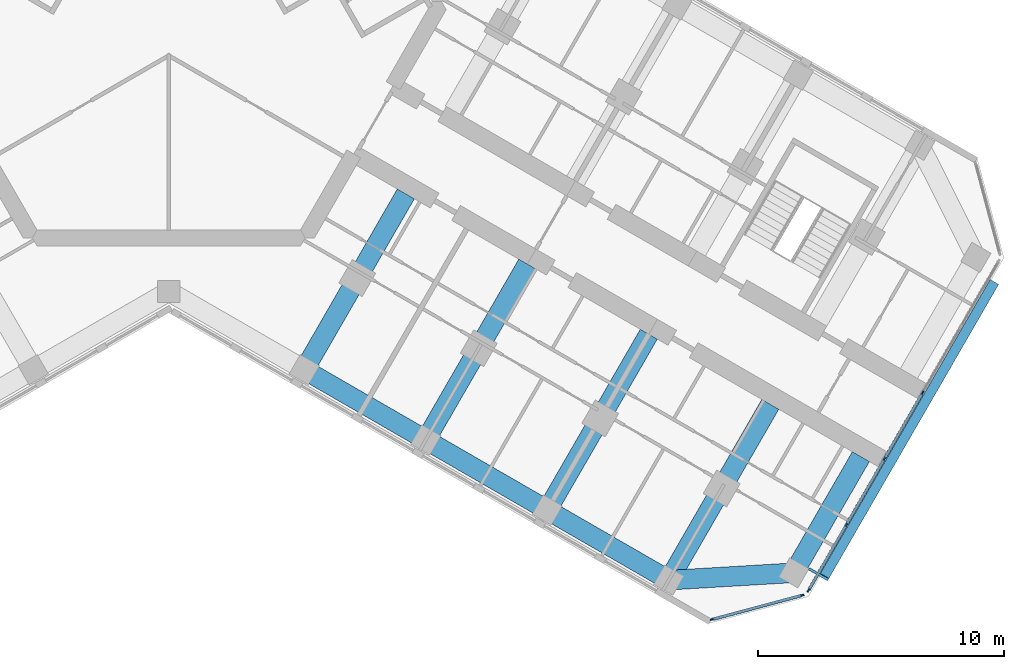
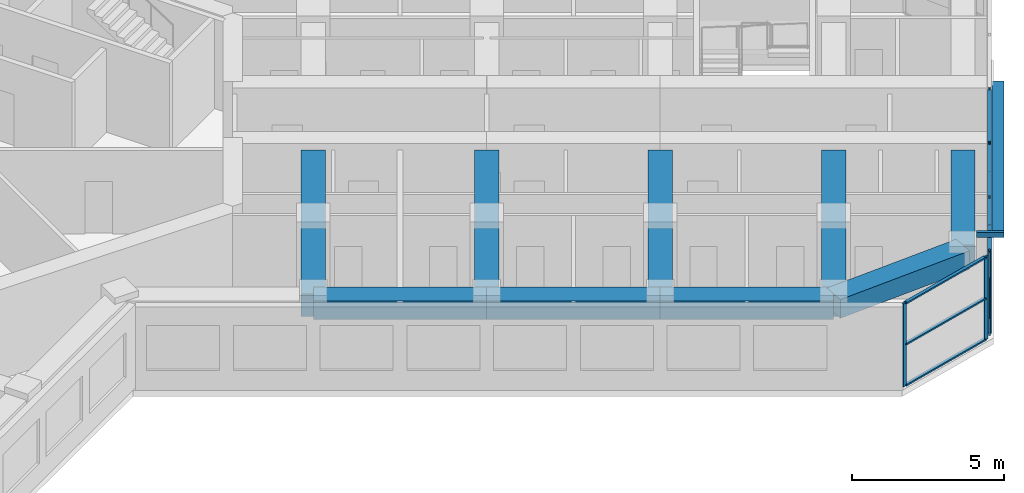
# One storey, part 4 of 16: 17 members, 9 beams, 2 elements without a shape of their own.
"""IFC4 building model written with IfcOpenShell, lengths in metres."""

import ifcopenshell
import ifcopenshell.guid

model = None  # the IFC model being written
_history = None  # IfcOwnerHistory: only IFC2X3 demands one
_inside = {}  # id of a spatial element -> (the spatial element, [elements in it])
_under = {}  # id of a project, library or spatial element -> (it, [spatial elements below it])
_declared = {}  # id of a project -> (the project, [libraries it declares])
_typed = {}  # id of a type object -> (the type object, [elements of that type])
_made_of = {}  # id of a material, layer set ... -> (it, [elements and type objects made of it])


def new_model(schema):
    """Start an empty IFC model of exactly this schema.

    Asked for "IFC4X3", IfcOpenShell would pick the latest addendum, in which some entities
    have other attributes; the version numbers below select the first issue.
    IFC2X3 requires an IfcOwnerHistory on every rooted entity: one is made here for all.
    """
    global model, _history
    if schema == "IFC4X3":
        model = ifcopenshell.file(schema_version=(4, 3, 0, 0))
    else:
        model = ifcopenshell.file(schema=schema)
    _inside.clear()
    _under.clear()
    _declared.clear()
    _typed.clear()
    _made_of.clear()
    _history = None
    if model.schema == "IFC2X3":
        org = make("IfcOrganization", Name="unknown")
        user = make(
            "IfcPersonAndOrganization",
            ThePerson=make("IfcPerson", FamilyName="unknown"),
            TheOrganization=org,
        )
        app = make(
            "IfcApplication",
            ApplicationDeveloper=org,
            Version="unknown",
            ApplicationFullName="unknown",
            ApplicationIdentifier="unknown",
        )
        _history = make(
            "IfcOwnerHistory",
            OwningUser=user,
            OwningApplication=app,
            ChangeAction="ADDED",
            CreationDate=0,
        )
    return model


def make(cls, **values):
    """One entity of the class cls with the attributes given. An attribute that is None is left unset."""
    return model.create_entity(
        cls, **{name: value for name, value in values.items() if value is not None}
    )


def rooted(cls, **values):
    """An entity with a GlobalId (a new one), such as an element, a storey or a relation."""
    return make(cls, GlobalId=ifcopenshell.guid.new(), OwnerHistory=_history, **values)


def si_unit(unit_type, name, prefix=None):
    """IfcSIUnit, for example si_unit("LENGTHUNIT", "METRE", prefix="MILLI")."""
    return make("IfcSIUnit", UnitType=unit_type, Prefix=prefix, Name=name)


def assignment(units):
    """IfcUnitAssignment: the units of a project."""
    return None if units is None else make("IfcUnitAssignment", Units=units)


def point(xyz):
    """IfcCartesianPoint."""
    return None if xyz is None else make("IfcCartesianPoint", Coordinates=xyz)


def direction(xyz):
    """IfcDirection."""
    return None if xyz is None else make("IfcDirection", DirectionRatios=xyz)


def frame(location, z_axis=None, x_axis=None):
    """IfcAxis2Placement3D, a coordinate frame: its origin and axes. An axis left out is left unset."""
    return make(
        "IfcAxis2Placement3D",
        Location=point(location),
        Axis=direction(z_axis),
        RefDirection=direction(x_axis),
    )


def frame_2d(location, x_axis=None):
    """IfcAxis2Placement2D, a coordinate frame in the plane: its origin and x axis."""
    return make(
        "IfcAxis2Placement2D", Location=point(location), RefDirection=direction(x_axis)
    )


def origin():
    """The frame at (0, 0, 0) with its axes left unset."""
    return frame((0.0, 0.0, 0.0))


def origin_2d():
    """The frame at (0, 0) in the plane with its x axis left unset."""
    return frame_2d((0.0, 0.0))


def place(relative_to, where):
    """IfcLocalPlacement: puts the frame where relative to a parent placement (None: the world)."""
    return make(
        "IfcLocalPlacement", PlacementRelTo=relative_to, RelativePlacement=where
    )


def context(
    kind, dimensions, precision=None, world=None, true_north=None, identifier=None
):
    """IfcGeometricRepresentationContext, for example the 3D "Model" context."""
    return make(
        "IfcGeometricRepresentationContext",
        ContextIdentifier=identifier,
        ContextType=kind,
        CoordinateSpaceDimension=dimensions,
        Precision=precision,
        WorldCoordinateSystem=world,
        TrueNorth=true_north,
    )


def subcontext(parent, identifier, kind, view, scale=None):
    """IfcGeometricRepresentationSubContext, for example "Body" below "Model"."""
    return make(
        "IfcGeometricRepresentationSubContext",
        ContextIdentifier=identifier,
        ContextType=kind,
        ParentContext=parent,
        TargetScale=scale,
        TargetView=view,
    )


def project(units=None, contexts=None):
    """IfcProject with its units and contexts."""
    return rooted(
        "IfcProject",
        Name="project",
        RepresentationContexts=contexts,
        UnitsInContext=assignment(units),
    )


def spatial(cls, under=None, at=None, **own):
    """A site, building, storey or space (cls), placed at a placement, below another one or the project."""
    s = rooted(cls, ObjectPlacement=at, **own)
    if under is not None:
        _under.setdefault(under.id(), (under, []))[1].append(s)
    return s


def profile(cls, at=None, kind="AREA", **sizes):
    """A parametric profile (cls). Its sizes go by their IFC names, for example OverallWidth=200.0."""
    return make(cls, ProfileType=kind, Position=at, **sizes)


def rectangle(**sizes):
    """IfcRectangleProfileDef."""
    return profile("IfcRectangleProfileDef", **sizes)


def hollow_rectangle(**sizes):
    """IfcRectangleHollowProfileDef."""
    return profile("IfcRectangleHollowProfileDef", **sizes)


def extrude(swept, where, along, depth):
    """IfcExtrudedAreaSolid: the profile swept, set in the frame where, extruded along a direction by depth."""
    return make(
        "IfcExtrudedAreaSolid",
        SweptArea=swept,
        Position=where,
        ExtrudedDirection=direction(along),
        Depth=depth,
    )


def shape(context_of_items, identifier, shape_type, items):
    """IfcShapeRepresentation: the items that make up one representation, for example the "Body"."""
    return make(
        "IfcShapeRepresentation",
        ContextOfItems=context_of_items,
        RepresentationIdentifier=identifier,
        RepresentationType=shape_type,
        Items=items,
    )


def material(Name=None, Category=None):
    """IfcMaterial."""
    return make("IfcMaterial", Name=Name, Category=Category)


def material_profile(
    of_material, cross_section, Name=None, Category=None, Priority=None
):
    """IfcMaterialProfile: a cross section and its material."""
    return make(
        "IfcMaterialProfile",
        Name=Name,
        Material=of_material,
        Profile=cross_section,
        Priority=Priority,
        Category=Category,
    )


def profile_set(profiles, Name=None, composite=None):
    """IfcMaterialProfileSet."""
    return make(
        "IfcMaterialProfileSet",
        Name=Name,
        MaterialProfiles=profiles,
        CompositeProfile=composite,
    )


def made_of(thing, what):
    """Note that an element or type object is made of a material, layer set ...; save() writes the relation."""
    if what is not None:
        _made_of.setdefault(what.id(), (what, []))[1].append(thing)
    return thing


def type_object(cls, material=None, **own):
    """A type object (cls), such as IfcWallType, which elements share."""
    return made_of(rooted(cls, **own), material)


def element(
    cls,
    number,
    at=None,
    inside=None,
    cuts=None,
    type_object=None,
    material=None,
    context=None,
    identifier="Body",
    shape_type=None,
    held_by="IfcProductDefinitionShape",
    body=None,
    shapes=None,
    **own,
):
    """One element of the class cls, such as IfcWall. Its Tag is "e" and its number.

    at: its placement. inside: the storey or other place that contains it. cuts: it is an
    opening in that element (IfcRelVoidsElement). A single representation is given by context,
    identifier, shape_type and body (its items); several are given by shapes. held_by: the class
    of the entity that holds the representations. save() writes the other relations.
    """
    e = rooted(cls, Tag="e%d" % number, ObjectPlacement=at, **own)
    if body is not None:
        shapes = [shape(context, identifier, shape_type, body)]
    if shapes is not None:
        e.Representation = make(held_by, Representations=shapes)
    if inside is not None:
        _inside.setdefault(inside.id(), (inside, []))[1].append(e)
    if cuts is not None:
        rooted(
            "IfcRelVoidsElement", RelatingBuildingElement=cuts, RelatedOpeningElement=e
        )
    if type_object is not None:
        _typed.setdefault(type_object.id(), (type_object, []))[1].append(e)
    return made_of(e, material)


def aggregate(whole, parts):
    """IfcRelAggregates: a whole, such as a stair, and the parts it consists of."""
    return rooted("IfcRelAggregates", RelatingObject=whole, RelatedObjects=parts)


def save(model, path):
    """Write the relations noted so far, then the file.

    IfcRelAggregates (storeys below a building ...), IfcRelContainedInSpatialStructure (elements
    in a storey), IfcRelDefinesByType, IfcRelAssociatesMaterial and IfcRelDeclares: one each for
    every whole, place, type object, material and project.
    """
    for whole, parts in _under.values():
        aggregate(whole, parts)
    for where, things in _inside.values():
        rooted(
            "IfcRelContainedInSpatialStructure",
            RelatedElements=things,
            RelatingStructure=where,
        )
    for kind, things in _typed.values():
        rooted("IfcRelDefinesByType", RelatedObjects=things, RelatingType=kind)
    for what, things in _made_of.values():
        rooted("IfcRelAssociatesMaterial", RelatedObjects=things, RelatingMaterial=what)
    for by, libraries in _declared.values():
        rooted("IfcRelDeclares", RelatingContext=by, RelatedDefinitions=libraries)
    model.write(path)


model = new_model("IFC4")

# Units and contexts
model_context = context("Model", 3, precision=1e-05, world=origin(), true_north=direction((0.0, 1.0)))
body_context = subcontext(model_context, "Body", "Model", "MODEL_VIEW")
ifc_project = project(units=[si_unit("LENGTHUNIT", "METRE"), si_unit("AREAUNIT", "SQUARE_METRE"), si_unit("VOLUMEUNIT", "CUBIC_METRE"), si_unit("PLANEANGLEUNIT", "RADIAN"), si_unit("MASSUNIT", "GRAM", prefix="KILO")], contexts=[model_context])

# Site, building, storey
site_placement = place(None, origin())
site = spatial("IfcSite", under=ifc_project, at=site_placement, CompositionType="ELEMENT")
building_placement = place(site_placement, origin())
building = spatial("IfcBuilding", under=site, at=building_placement, Name="Kosmar Iwan School Tower", CompositionType="ELEMENT")
storey_placement = place(building_placement, frame((0.0, 0.0, 219.0)))
storey = spatial("IfcBuildingStorey", under=building, at=storey_placement, Name="L55", CompositionType="ELEMENT", Elevation=219.0)

# Members
ifc_material_1 = material(Name="Black anodised aluminium", Category="aluminium")
ifc_material_profile_1 = material_profile(ifc_material_1, rectangle(XDim=0.10009765625, YDim=0.39990234375, at=origin_2d()), Name="FIN 100x400")
ifc_profile_set_1 = profile_set([ifc_material_profile_1], Name="Black anodised aluminium")
member_type_1 = type_object("IfcMemberType", Name="Diagonal fin 100x400", PredefinedType="USERDEFINED", material=ifc_profile_set_1)
member_1_placement = place(storey_placement, frame((33.54345703125, -11.40087890625, -0.14990234375), z_axis=(-0.483795538458, -0.837973939202, 0.252470897702), x_axis=(0.126233699175, 0.218647221293, 0.967604488318)))
element("IfcMember", 1, at=member_1_placement, inside=storey, type_object=member_type_1, Name="Diagonal fin L55-F01", ObjectType="FIN", PredefinedType="USERDEFINED", context=body_context, shape_type="SweptSolid", body=[
    extrude(rectangle(XDim=0.10009765625, YDim=0.39990234375, at=origin_2d()), origin(), (0.0, 0.0, 1.0), 14.258544921875),
])
ifc_material_2 = material(Name="Steel S355", Category="steel")
ifc_material_profile_2 = material_profile(ifc_material_2, hollow_rectangle(XDim=0.10009765625, YDim=0.199951171875, WallThickness=0.008056640625, at=origin_2d()), Name="RHS 200x100x8")
ifc_profile_set_2 = profile_set([ifc_material_profile_2], Name="Steel S355")
member_type_2 = type_object("IfcMemberType", Name="Fin bracket RHS 200x100", PredefinedType="USERDEFINED", material=ifc_profile_set_2)
member_2_placement = place(storey_placement, frame((26.01318359375, -23.0439453125, 3.47509765625), z_axis=(0.866013897511, -0.50001992892, 0.0), x_axis=(0.50001992892, 0.866013897511, 0.0)))
element("IfcMember", 2, at=member_2_placement, inside=storey, type_object=member_type_2, Name="Fin bracket L56", ObjectType="FIN BRACKET", PredefinedType="USERDEFINED", context=body_context, shape_type="SweptSolid", body=[
    extrude(hollow_rectangle(XDim=0.10009765625, YDim=0.199951171875, WallThickness=0.008056640625, at=origin_2d()), origin(), (0.0, 0.0, 1.0), 0.89990234375),
])

# Curtain wall, members
ifc_material_3 = material(Name="Dark glass in black aluminium frame", Category="aluminium")
curtain_wall_type_1 = type_object("IfcCurtainWallType", Name="Chamfer curtain wall dark glass", PredefinedType="USERDEFINED", material=ifc_material_3)
curtain_wall_1_placement = place(storey_placement, origin())
curtain_wall_1 = element("IfcCurtainWall", 3, at=curtain_wall_1_placement, inside=storey, type_object=curtain_wall_type_1, Name="Curtain wall L55-F00", ObjectType="FACETED CURTAIN WALL", PredefinedType="USERDEFINED")
ifc_material_4 = material(Name="Black anodised aluminium", Category="aluminium")
ifc_material_profile_3 = material_profile(ifc_material_4, rectangle(XDim=0.06005859375, YDim=0.159912109375, at=origin_2d()), Name="MULLION 60x160")
ifc_profile_set_3 = profile_set([ifc_material_profile_3], Name="Black anodised aluminium")
member_type_3 = type_object("IfcMemberType", Name="Mullion 60x160", PredefinedType="MULLION", material=ifc_profile_set_3)
member_3_placement = place(storey_placement, frame((22.0830078125, -25.102294921875, 0.0), z_axis=(0.0, 0.0, 1.0), x_axis=(-0.258818861462, 0.965925875495, 0.0)))
member_3 = element("IfcMember", 4, at=member_3_placement, type_object=member_type_3, Name="CW2 mullion 1", PredefinedType="MULLION", context=body_context, shape_type="SweptSolid", body=[
    extrude(rectangle(XDim=0.06005859375, YDim=0.159912109375, at=origin_2d()), origin(), (0.0, 0.0, 1.0), 3.35009765625),
])
member_4_placement = place(storey_placement, frame((25.733154296875, -24.124267578125, 0.0), z_axis=(0.0, 0.0, 1.0), x_axis=(-0.258818861462, 0.965925875495, 0.0)))
member_4 = element("IfcMember", 5, at=member_4_placement, type_object=member_type_3, Name="CW2 mullion 2", PredefinedType="MULLION", context=body_context, shape_type="SweptSolid", body=[
    extrude(rectangle(XDim=0.06005859375, YDim=0.159912109375, at=origin_2d()), origin(), (0.0, 0.0, 1.0), 3.35009765625),
])

ifc_material_5 = material(Name="Dark glass in black aluminium frame", Category="aluminium")
curtain_wall_type_2 = type_object("IfcCurtainWallType", Name="Tower curtain wall dark glass", PredefinedType="USERDEFINED", material=ifc_material_5)
curtain_wall_2_placement = place(storey_placement, origin())
curtain_wall_2 = element("IfcCurtainWall", 6, at=curtain_wall_2_placement, inside=storey, type_object=curtain_wall_type_2, Name="Curtain wall L55-F01", ObjectType="UNITISED CURTAIN WALL", PredefinedType="USERDEFINED")
member_5_placement = place(storey_placement, frame((25.9970703125, -23.921630859375, 0.0), z_axis=(0.0, 0.0, 1.0), x_axis=(-0.866025405329, 0.499999997325, 0.0)))
member_5 = element("IfcMember", 7, at=member_5_placement, type_object=member_type_3, Name="CW1 mullion 1", PredefinedType="MULLION", context=body_context, shape_type="SweptSolid", body=[
    extrude(rectangle(XDim=0.06005859375, YDim=0.159912109375, at=origin_2d()), origin(), (0.0, 0.0, 1.0), 3.35009765625),
])
member_6_placement = place(storey_placement, frame((27.53173828125, -21.263671875, 0.0), z_axis=(0.0, 0.0, 1.0), x_axis=(-0.866025405329, 0.499999997325, 0.0)))
member_6 = element("IfcMember", 8, at=member_6_placement, type_object=member_type_3, Name="CW1 mullion 2", PredefinedType="MULLION", context=body_context, shape_type="SweptSolid", body=[
    extrude(rectangle(XDim=0.06005859375, YDim=0.159912109375, at=origin_2d()), origin(), (0.0, 0.0, 1.0), 3.35009765625),
])
member_7_placement = place(storey_placement, frame((29.081298828125, -18.57958984375, 0.0), z_axis=(0.0, 0.0, 1.0), x_axis=(-0.866025405329, 0.499999997325, 0.0)))
member_7 = element("IfcMember", 9, at=member_7_placement, type_object=member_type_3, Name="CW1 mullion 3", PredefinedType="MULLION", context=body_context, shape_type="SweptSolid", body=[
    extrude(rectangle(XDim=0.06005859375, YDim=0.159912109375, at=origin_2d()), origin(), (0.0, 0.0, 1.0), 3.35009765625),
])
member_8_placement = place(storey_placement, frame((30.631103515625, -15.8955078125, 0.0), z_axis=(0.0, 0.0, 1.0), x_axis=(-0.866025405329, 0.499999997325, 0.0)))
member_8 = element("IfcMember", 10, at=member_8_placement, type_object=member_type_3, Name="CW1 mullion 4", PredefinedType="MULLION", context=body_context, shape_type="SweptSolid", body=[
    extrude(rectangle(XDim=0.06005859375, YDim=0.159912109375, at=origin_2d()), origin(), (0.0, 0.0, 1.0), 3.35009765625),
])

# Beams
ifc_material_6 = material(Name="Concrete C50/60", Category="concrete")
ifc_material_profile_4 = material_profile(ifc_material_6, rectangle(XDim=0.800048828125, YDim=0.75, at=origin_2d()), Name="RC 800x750")
ifc_profile_set_4 = profile_set([ifc_material_profile_4], Name="Concrete C50/60")
beam_type_1 = type_object("IfcBeamType", Name="RC edge beam 800x750", PredefinedType="BEAM", material=ifc_profile_set_4)
beam_1_placement = place(storey_placement, frame((5.5087890625, -14.95849609375, 2.97509765625), z_axis=(0.866033658841, -0.49998570155, 0.0), x_axis=(0.49998570155, 0.866033658841, 0.0)))
element("IfcBeam", 11, at=beam_1_placement, inside=storey, type_object=beam_type_1, Name="Edge beam CR2", PredefinedType="BEAM", context=body_context, shape_type="SweptSolid", body=[
    extrude(rectangle(XDim=0.800048828125, YDim=0.75, at=origin_2d()), origin(), (0.0, 0.0, 1.0), 5.699951171875),
])
beam_2_placement = place(storey_placement, frame((10.445068359375, -17.808349609375, 2.97509765625), z_axis=(0.866025820012, -0.499999279071, 0.0), x_axis=(0.499999279071, 0.866025820012, 0.0)))
element("IfcBeam", 12, at=beam_2_placement, inside=storey, type_object=beam_type_1, Name="Edge beam CR3", PredefinedType="BEAM", context=body_context, shape_type="SweptSolid", body=[
    extrude(rectangle(XDim=0.800048828125, YDim=0.75, at=origin_2d()), origin(), (0.0, 0.0, 1.0), 5.7001953125),
])
beam_3_placement = place(storey_placement, frame((15.381591796875, -20.658447265625, 2.97509765625), z_axis=(0.866015111908, -0.50001782563, 0.0), x_axis=(0.50001782563, 0.866015111908, 0.0)))
element("IfcBeam", 13, at=beam_3_placement, inside=storey, type_object=beam_type_1, Name="Edge beam CR4", PredefinedType="BEAM", context=body_context, shape_type="SweptSolid", body=[
    extrude(rectangle(XDim=0.800048828125, YDim=0.75, at=origin_2d()), origin(), (0.0, 0.0, 1.0), 5.699951171875),
])
ifc_material_7 = material(Name="Concrete C50/60", Category="concrete")
ifc_material_profile_5 = material_profile(ifc_material_7, rectangle(XDim=0.800048828125, YDim=0.75, at=origin_2d()), Name="RC 800x750")
ifc_profile_set_5 = profile_set([ifc_material_profile_5], Name="Concrete C50/60")
beam_type_2 = type_object("IfcBeamType", Name="RC tip beam 800x750", PredefinedType="BEAM", material=ifc_profile_set_5)
beam_4_placement = place(storey_placement, frame((20.31787109375, -23.508544921875, 2.97509765625), z_axis=(0.998260616478, 0.058955420358, 0.0), x_axis=(-0.058955420358, 0.998260616478, 0.0)))
element("IfcBeam", 14, at=beam_4_placement, inside=storey, type_object=beam_type_2, Name="Tip beam CR", PredefinedType="BEAM", context=body_context, shape_type="SweptSolid", body=[
    extrude(rectangle(XDim=0.800048828125, YDim=0.75, at=origin_2d()), origin(), (0.0, 0.0, 1.0), 5.08935546875),
])
beam_5_placement = place(storey_placement, frame((25.3984375, -23.20849609375, 2.97509765625), z_axis=(0.500022328685, 0.866012511928, 0.0), x_axis=(-0.866012511928, 0.500022328685, 0.0)))
element("IfcBeam", 15, at=beam_5_placement, inside=storey, type_object=beam_type_2, Name="Tip beam CR to corridor wall", PredefinedType="BEAM", context=body_context, shape_type="SweptSolid", body=[
    extrude(rectangle(XDim=0.800048828125, YDim=0.75, at=origin_2d()), origin(), (0.0, 0.0, 1.0), 5.449951171875),
])
ifc_material_8 = material(Name="Concrete C50/60", Category="concrete")
ifc_material_profile_6 = material_profile(ifc_material_8, rectangle(XDim=0.800048828125, YDim=0.89990234375, at=origin_2d()), Name="RC 800x900")
ifc_profile_set_6 = profile_set([ifc_material_profile_6], Name="Concrete C50/60")
beam_type_3 = type_object("IfcBeamType", Name="RC transverse beam 800x900", PredefinedType="BEAM", material=ifc_profile_set_6)
beam_6_placement = place(storey_placement, frame((5.5087890625, -14.95849609375, 2.89990234375), z_axis=(0.499996545922, 0.866027397988, 0.0), x_axis=(-0.866027397988, 0.499996545922, 0.0)))
element("IfcBeam", 16, at=beam_6_placement, inside=storey, type_object=beam_type_3, Name="Transverse beam CR1", PredefinedType="BEAM", context=body_context, shape_type="SweptSolid", body=[
    extrude(rectangle(XDim=0.800048828125, YDim=0.89990234375, at=origin_2d()), origin(), (0.0, 0.0, 1.0), 8.25),
])
beam_7_placement = place(storey_placement, frame((10.445068359375, -17.808349609375, 2.89990234375), z_axis=(0.500009360108, 0.866019999656, 0.0), x_axis=(-0.866019999656, 0.500009360108, 0.0)))
element("IfcBeam", 17, at=beam_7_placement, inside=storey, type_object=beam_type_3, Name="Transverse beam CR2", PredefinedType="BEAM", context=body_context, shape_type="SweptSolid", body=[
    extrude(rectangle(XDim=0.800048828125, YDim=0.89990234375, at=origin_2d()), origin(), (0.0, 0.0, 1.0), 8.249755859375),
])
for number, where, z_axis, x_axis, name in (
    (18, (15.381591796875, -20.658447265625, 2.89990234375), (0.499996545922, 0.866027397988, 0.0), (-0.866027397988, 0.499996545922, 0.0), "Transverse beam CR3"),
    (19, (20.31787109375, -23.508544921875, 2.89990234375), (0.499996545922, 0.866027397988, 0.0), (-0.866027397988, 0.499996545922, 0.0), "Transverse beam CR4"),
):
    element("IfcBeam", number, at=place(storey_placement, frame(where, z_axis=z_axis, x_axis=x_axis)), inside=storey, type_object=beam_type_3, Name=name, PredefinedType="BEAM", context=body_context, shape_type="SweptSolid", body=[
        extrude(rectangle(XDim=0.800048828125, YDim=0.89990234375, at=origin_2d()), origin(), (0.0, 0.0, 1.0), 8.25),
    ])

# Member
ifc_material_9 = material(Name="Black anodised aluminium", Category="aluminium")
ifc_material_profile_7 = material_profile(ifc_material_9, rectangle(XDim=0.1201171875, YDim=0.06005859375, at=origin_2d()), Name="TRANSOM 60x120")
ifc_profile_set_7 = profile_set([ifc_material_profile_7], Name="Black anodised aluminium")
member_type_4 = type_object("IfcMemberType", Name="Transom 60x120", PredefinedType="USERDEFINED", material=ifc_profile_set_7)
member_9_placement = place(storey_placement, frame((22.11181640625, -25.094482421875, 0.030029296875), z_axis=(0.965923731726, 0.258826861991, 0.0), x_axis=(-0.258826861991, 0.965923731726, 0.0)))
member_9 = element("IfcMember", 20, at=member_9_placement, type_object=member_type_4, Name="CW2 transom 1.1", ObjectType="TRANSOM", PredefinedType="USERDEFINED", context=body_context, shape_type="SweptSolid", body=[
    extrude(rectangle(XDim=0.1201171875, YDim=0.06005859375, at=origin_2d()), origin(), (0.0, 0.0, 1.0), 3.71923828125),
])

member_10_placement = place(storey_placement, frame((22.11181640625, -25.094482421875, 1.675048828125), z_axis=(0.965923731726, 0.258826861991, 0.0), x_axis=(-0.258826861991, 0.965923731726, 0.0)))
member_10 = element("IfcMember", 21, at=member_10_placement, type_object=member_type_4, Name="CW2 transom 1.2", ObjectType="TRANSOM", PredefinedType="USERDEFINED", context=body_context, shape_type="SweptSolid", body=[
    extrude(rectangle(XDim=0.1201171875, YDim=0.06005859375, at=origin_2d()), origin(), (0.0, 0.0, 1.0), 3.71923828125),
])

member_11_placement = place(storey_placement, frame((22.11181640625, -25.094482421875, 3.320068359375), z_axis=(0.965923731726, 0.258826861991, 0.0), x_axis=(-0.258826861991, 0.965923731726, 0.0)))
member_11 = element("IfcMember", 22, at=member_11_placement, type_object=member_type_4, Name="CW2 transom 1.3", ObjectType="TRANSOM", PredefinedType="USERDEFINED", context=body_context, shape_type="SweptSolid", body=[
    extrude(rectangle(XDim=0.1201171875, YDim=0.06005859375, at=origin_2d()), origin(), (0.0, 0.0, 1.0), 3.71923828125),
])

aggregate(curtain_wall_1, [member_3, member_4, member_9, member_10, member_11])

member_12_placement = place(storey_placement, frame((26.01220703125, -23.895751953125, 0.030029296875), z_axis=(0.499986971506, 0.866032925658, 0.0), x_axis=(-0.866032925658, 0.499986971506, 0.0)))
member_12 = element("IfcMember", 23, at=member_12_placement, type_object=member_type_4, Name="CW1 transom 1.1", ObjectType="TRANSOM", PredefinedType="USERDEFINED", context=body_context, shape_type="SweptSolid", body=[
    extrude(rectangle(XDim=0.1201171875, YDim=0.06005859375, at=origin_2d()), origin(), (0.0, 0.0, 1.0), 3.00927734375),
])

member_13_placement = place(storey_placement, frame((26.01220703125, -23.895751953125, 3.320068359375), z_axis=(0.499986971506, 0.866032925658, 0.0), x_axis=(-0.866032925658, 0.499986971506, 0.0)))
member_13 = element("IfcMember", 24, at=member_13_placement, type_object=member_type_4, Name="CW1 transom 1.2", ObjectType="TRANSOM", PredefinedType="USERDEFINED", context=body_context, shape_type="SweptSolid", body=[
    extrude(rectangle(XDim=0.1201171875, YDim=0.06005859375, at=origin_2d()), origin(), (0.0, 0.0, 1.0), 3.00927734375),
])

member_14_placement = place(storey_placement, frame((27.546875, -21.237548828125, 0.030029296875), z_axis=(0.499975102327, 0.866039777986, 0.0), x_axis=(-0.866039777986, 0.499975102327, 0.0)))
member_14 = element("IfcMember", 25, at=member_14_placement, type_object=member_type_4, Name="CW1 transom 2.1", ObjectType="TRANSOM", PredefinedType="USERDEFINED", context=body_context, shape_type="SweptSolid", body=[
    extrude(rectangle(XDim=0.1201171875, YDim=0.06005859375, at=origin_2d()), origin(), (0.0, 0.0, 1.0), 3.039306640625),
])

member_15_placement = place(storey_placement, frame((27.546875, -21.237548828125, 3.320068359375), z_axis=(0.499975102327, 0.866039777986, 0.0), x_axis=(-0.866039777986, 0.499975102327, 0.0)))
member_15 = element("IfcMember", 26, at=member_15_placement, type_object=member_type_4, Name="CW1 transom 2.2", ObjectType="TRANSOM", PredefinedType="USERDEFINED", context=body_context, shape_type="SweptSolid", body=[
    extrude(rectangle(XDim=0.1201171875, YDim=0.06005859375, at=origin_2d()), origin(), (0.0, 0.0, 1.0), 3.039306640625),
])

member_16_placement = place(storey_placement, frame((29.096435546875, -18.553466796875, 0.030029296875), z_axis=(0.499975102327, 0.866039777986, 0.0), x_axis=(-0.866039777986, 0.499975102327, 0.0)))
member_16 = element("IfcMember", 27, at=member_16_placement, type_object=member_type_4, Name="CW1 transom 3.1", ObjectType="TRANSOM", PredefinedType="USERDEFINED", context=body_context, shape_type="SweptSolid", body=[
    extrude(rectangle(XDim=0.1201171875, YDim=0.06005859375, at=origin_2d()), origin(), (0.0, 0.0, 1.0), 3.039306640625),
])

member_17_placement = place(storey_placement, frame((29.096435546875, -18.553466796875, 3.320068359375), z_axis=(0.499975102327, 0.866039777986, 0.0), x_axis=(-0.866039777986, 0.499975102327, 0.0)))
member_17 = element("IfcMember", 28, at=member_17_placement, type_object=member_type_4, Name="CW1 transom 3.2", ObjectType="TRANSOM", PredefinedType="USERDEFINED", context=body_context, shape_type="SweptSolid", body=[
    extrude(rectangle(XDim=0.1201171875, YDim=0.06005859375, at=origin_2d()), origin(), (0.0, 0.0, 1.0), 3.039306640625),
])

aggregate(curtain_wall_2, [member_5, member_6, member_7, member_8, member_12, member_13, member_14, member_15, member_16, member_17])

save(model, "model.ifc")
